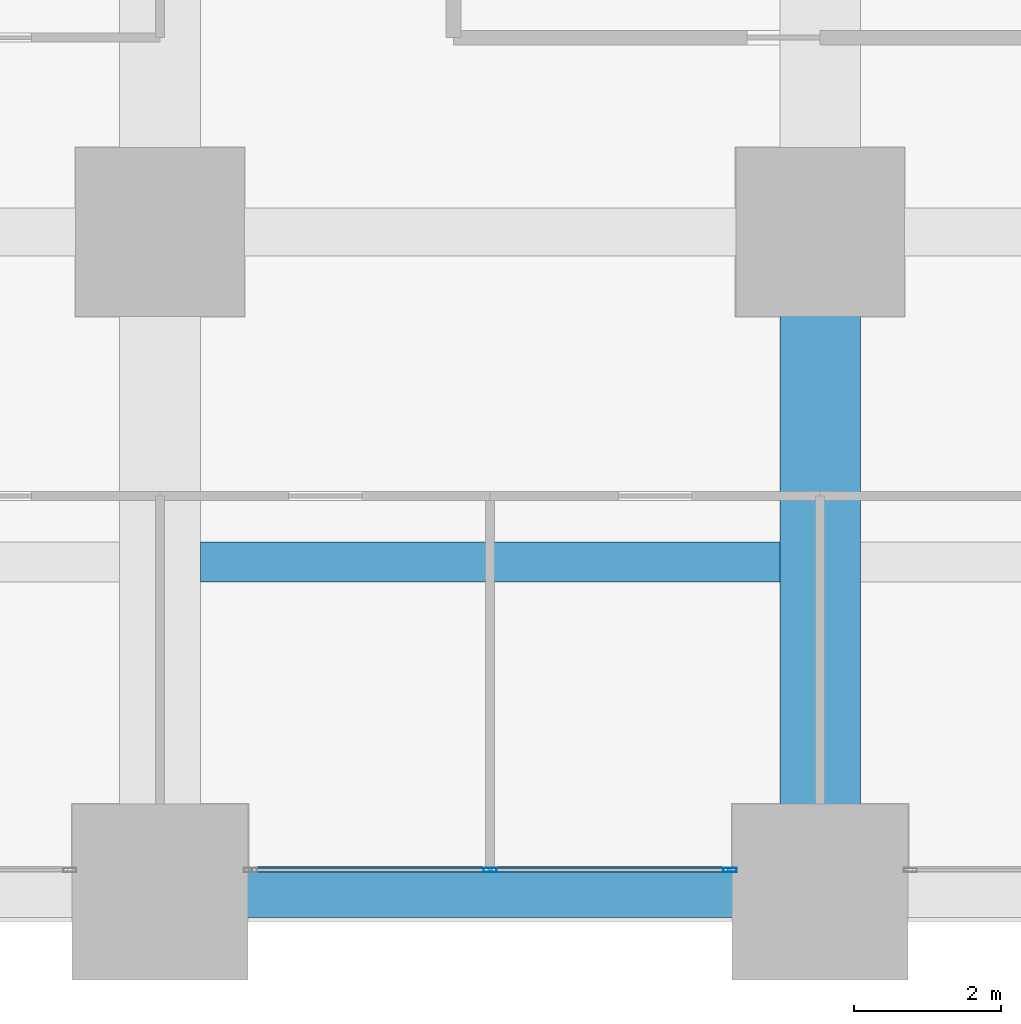
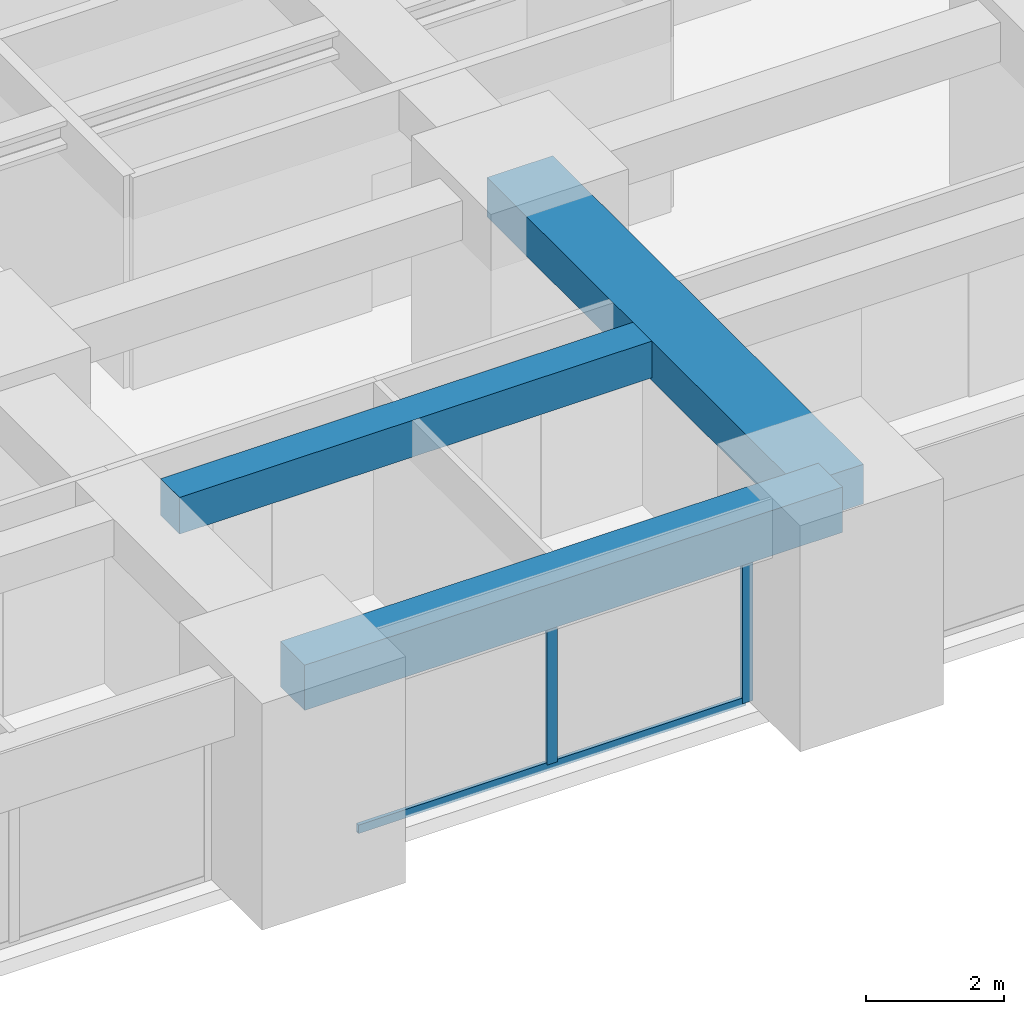
# One storey, part 5 of 39: 3 beams, 3 members, 1 element without a shape of its own.
"""IFC4 building model written with IfcOpenShell, lengths in metres."""

from ifc_helpers import new_model, si_unit, direction, frame, origin, origin_2d, place, context, subcontext, project, spatial, rectangle, hollow_rectangle, extrude, material, material_profile, profile_set, type_object, element, aggregate, save


model = new_model("IFC4")

# Units and contexts
model_context = context("Model", 3, precision=1e-05, world=origin(), true_north=direction((0.0, 1.0)))
body_context = subcontext(model_context, "Body", "Model", "MODEL_VIEW")
ifc_project = project(units=[si_unit("LENGTHUNIT", "METRE"), si_unit("AREAUNIT", "SQUARE_METRE"), si_unit("VOLUMEUNIT", "CUBIC_METRE"), si_unit("PLANEANGLEUNIT", "RADIAN"), si_unit("MASSUNIT", "GRAM", prefix="KILO")], contexts=[model_context])

# Site, building, storey
site_placement = place(None, origin())
site = spatial("IfcSite", under=ifc_project, at=site_placement, CompositionType="ELEMENT")
building_placement = place(site_placement, origin())
building = spatial("IfcBuilding", under=site, at=building_placement, Name="Zorevar Civic Tower", CompositionType="ELEMENT")
storey_placement = place(building_placement, frame((0.0, 0.0, 19.800048828125)))
storey = spatial("IfcBuildingStorey", under=building, at=storey_placement, Name="L04", CompositionType="ELEMENT", Elevation=19.800048828125)

# Beams
ifc_material_1 = material(Name="Concrete C50/60", Category="concrete")
ifc_material_profile_1 = material_profile(ifc_material_1, rectangle(XDim=1.10009765625, YDim=0.699951171875, at=origin_2d()), Name="RC 1100x700")
ifc_profile_set_1 = profile_set([ifc_material_profile_1], Name="Concrete C50/60")
beam_type_1 = type_object("IfcBeamType", Name="Beam RC 1100x700", PredefinedType="BEAM", material=ifc_profile_set_1)
beam_1_placement = place(storey_placement, frame((27.0, 0.0, 3.39990234375), z_axis=(0.0, 1.0, 0.0), x_axis=(-1.0, 0.0, 0.0)))
element("IfcBeam", 1, at=beam_1_placement, inside=storey, type_object=beam_type_1, Name="Girder L05", PredefinedType="BEAM", context=body_context, shape_type="SweptSolid", body=[
    extrude(rectangle(XDim=1.10009765625, YDim=0.699951171875, at=origin_2d()), origin(), (0.0, 0.0, 1.0), 9.0),
])
ifc_material_2 = material(Name="Concrete C50/60", Category="concrete")
ifc_material_profile_2 = material_profile(ifc_material_2, rectangle(XDim=0.550048828125, YDim=0.64990234375, at=origin_2d()), Name="RC 550x650")
ifc_profile_set_2 = profile_set([ifc_material_profile_2], Name="Concrete C50/60")
beam_type_2 = type_object("IfcBeamType", Name="Beam RC 550x650", PredefinedType="BEAM", material=ifc_profile_set_2)
beam_2_placement = place(storey_placement, frame((18.550048828125, 4.5, 3.425048828125), z_axis=(1.0, 0.0, 0.0), x_axis=(0.0, 1.0, 0.0)))
element("IfcBeam", 2, at=beam_2_placement, inside=storey, type_object=beam_type_2, Name="Secondary beam L05", PredefinedType="BEAM", context=body_context, shape_type="SweptSolid", body=[
    extrude(rectangle(XDim=0.550048828125, YDim=0.64990234375, at=origin_2d()), origin(), (0.0, 0.0, 1.0), 7.89990234375),
])

# Curtain wall, members
ifc_material_3 = material(Name="Dark grey solar-control glass in black aluminium frame", Category="aluminium")
curtain_wall_type = type_object("IfcCurtainWallType", Name="Curtain wall CW2 low zone", PredefinedType="NOTDEFINED", material=ifc_material_3)
curtain_wall_placement = place(storey_placement, origin())
curtain_wall = element("IfcCurtainWall", 3, at=curtain_wall_placement, inside=storey, type_object=curtain_wall_type, Name="CW2 L04", PredefinedType="NOTDEFINED")
ifc_material_4 = material(Name="Aluminium, black anodised", Category="aluminium")
ifc_material_profile_3 = material_profile(ifc_material_4, hollow_rectangle(XDim=0.06005859375, YDim=0.179931640625, WallThickness=0.00390625, at=origin_2d()), Name="AL 180x60x4")
ifc_profile_set_3 = profile_set([ifc_material_profile_3], Name="Aluminium, black anodised")
member_type_1 = type_object("IfcMemberType", Name="CW2 mullion AL 180x60x4", PredefinedType="MULLION", material=ifc_profile_set_3)
member_1_placement = place(storey_placement, frame((22.5, 0.300048828125, 0.06005859375), z_axis=(0.0, 0.0, 1.0), x_axis=(0.0, 1.0, 0.0)))
member_1 = element("IfcMember", 4, at=member_1_placement, type_object=member_type_1, Name="CW2 mullion 2", PredefinedType="MULLION", context=body_context, shape_type="SweptSolid", body=[
    extrude(hollow_rectangle(XDim=0.06005859375, YDim=0.179931640625, WallThickness=0.00390625, at=origin_2d()), origin(), (0.0, 0.0, 1.0), 2.889892578125),
])
member_2_placement = place(storey_placement, frame((25.77001953125, 0.300048828125, 0.0), z_axis=(0.0, 0.0, 1.0), x_axis=(0.0, 1.0, 0.0)))
member_2 = element("IfcMember", 5, at=member_2_placement, type_object=member_type_1, Name="CW2 mullion 3", PredefinedType="MULLION", context=body_context, shape_type="SweptSolid", body=[
    extrude(hollow_rectangle(XDim=0.06005859375, YDim=0.179931640625, WallThickness=0.00390625, at=origin_2d()), origin(), (0.0, 0.0, 1.0), 2.949951171875),
])
ifc_material_5 = material(Name="Aluminium, black anodised", Category="aluminium")
ifc_material_profile_4 = material_profile(ifc_material_5, hollow_rectangle(XDim=0.06005859375, YDim=0.14990234375, WallThickness=0.00390625, at=origin_2d()), Name="AL 150x60x4")
ifc_profile_set_4 = profile_set([ifc_material_profile_4], Name="Aluminium, black anodised")
member_type_2 = type_object("IfcMemberType", Name="CW2 transom AL 150x60x4", PredefinedType="USERDEFINED", material=ifc_profile_set_4)
member_3_placement = place(storey_placement, frame((19.260009765625, 0.300048828125, 0.030029296875), z_axis=(1.0, 0.0, 0.0), x_axis=(0.0, 1.0, 0.0)))
member_3 = element("IfcMember", 6, at=member_3_placement, type_object=member_type_2, Name="CW2 sill transom", ObjectType="TRANSOM", PredefinedType="USERDEFINED", context=body_context, shape_type="SweptSolid", body=[
    extrude(hollow_rectangle(XDim=0.06005859375, YDim=0.14990234375, WallThickness=0.00390625, at=origin_2d()), origin(), (0.0, 0.0, 1.0), 6.47998046875),
])
aggregate(curtain_wall, [member_1, member_2, member_3])

# Beam
ifc_material_6 = material(Name="Concrete C50/60", Category="concrete")
ifc_material_profile_5 = material_profile(ifc_material_6, rectangle(XDim=0.699951171875, YDim=0.800048828125, at=origin_2d()), Name="RC 700x800")
ifc_profile_set_5 = profile_set([ifc_material_profile_5], Name="Concrete C50/60")
beam_type_3 = type_object("IfcBeamType", Name="Edge beam RC 700x800", PredefinedType="SPANDREL", material=ifc_profile_set_5)
beam_3_placement = place(storey_placement, frame((18.0, 0.0, 3.349853515625), z_axis=(1.0, 0.0, 0.0), x_axis=(0.0, 1.0, 0.0)))
element("IfcBeam", 7, at=beam_3_placement, inside=storey, type_object=beam_type_3, Name="Edge beam L05", PredefinedType="SPANDREL", context=body_context, shape_type="SweptSolid", body=[
    extrude(rectangle(XDim=0.699951171875, YDim=0.800048828125, at=origin_2d()), origin(), (0.0, 0.0, 1.0), 9.0),
])

save(model, "model.ifc")
